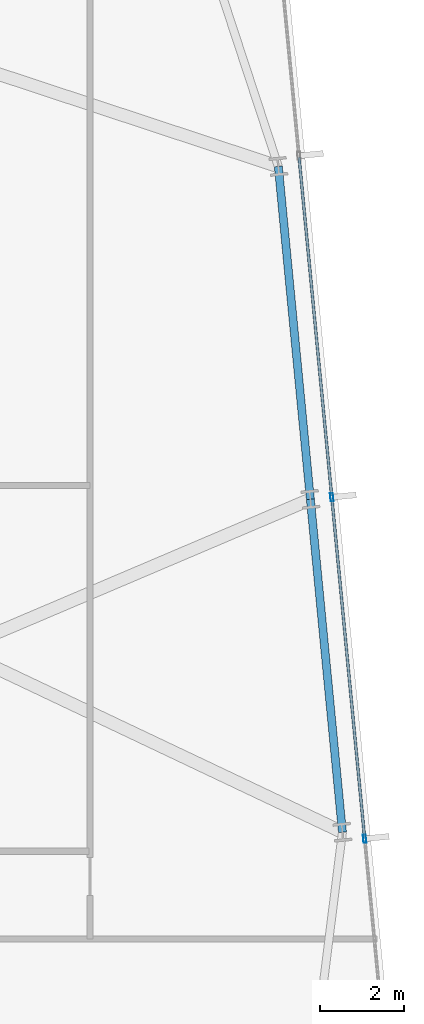
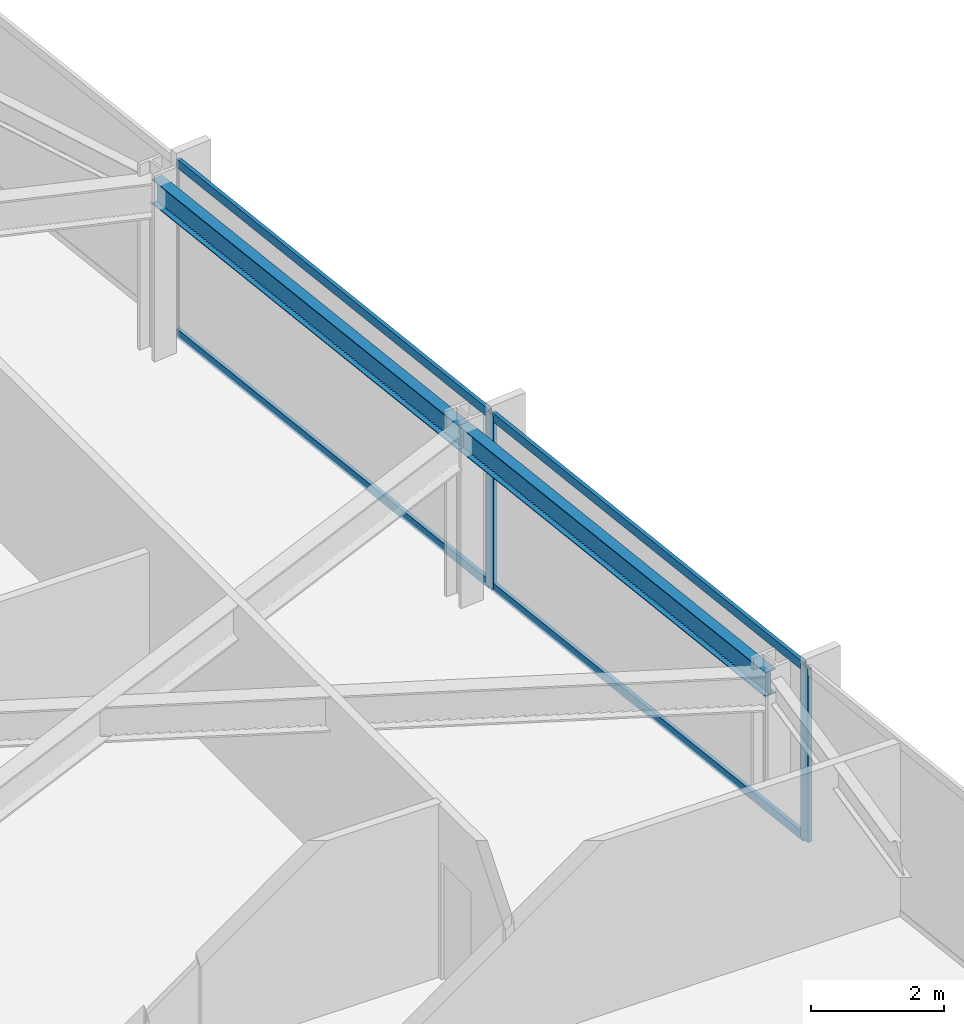
# One storey, part 16 of 32: 6 members, 2 beams, 1 element without a shape of its own.
"""IFC4 building model written with IfcOpenShell, lengths in metres."""

from ifc_helpers import new_model, si_unit, direction, frame, origin, origin_2d, place, context, subcontext, project, spatial, hollow_rectangle, i_section, extrude, material, material_profile, profile_set, type_object, element, aggregate, save


model = new_model("IFC4")

# Units and contexts
model_context = context("Model", 3, precision=1e-05, world=origin(), true_north=direction((0.0, 1.0)))
body_context = subcontext(model_context, "Body", "Model", "MODEL_VIEW")
ifc_project = project(units=[si_unit("LENGTHUNIT", "METRE"), si_unit("AREAUNIT", "SQUARE_METRE"), si_unit("VOLUMEUNIT", "CUBIC_METRE"), si_unit("PLANEANGLEUNIT", "RADIAN"), si_unit("MASSUNIT", "GRAM", prefix="KILO")], contexts=[model_context])

# Site, building, storey
site_placement = place(None, origin())
site = spatial("IfcSite", under=ifc_project, at=site_placement, CompositionType="ELEMENT")
building_placement = place(site_placement, origin())
building = spatial("IfcBuilding", under=site, at=building_placement, Name="Yelkora Congress Tower", CompositionType="ELEMENT")
storey_placement = place(building_placement, frame((0.0, 0.0, 103.300048828125)))
storey = spatial("IfcBuildingStorey", under=building, at=storey_placement, Name="L27", CompositionType="ELEMENT", Elevation=103.300048828125)

# Beams
ifc_material_1 = material(Name="Steel S355J2", Category="steel")
ifc_material_profile_1 = material_profile(ifc_material_1, i_section(OverallWidth=0.18994140625, OverallDepth=0.449951171875, WebThickness=0.009521484375, FlangeThickness=0.0146484375, FilletRadius=0.02099609375, at=origin_2d()), Name="IPE 450")
ifc_profile_set_1 = profile_set([ifc_material_profile_1], Name="Steel S355J2")
beam_type = type_object("IfcBeamType", Name="BM-SPAN-IPE450", PredefinedType="SPANDREL", material=ifc_profile_set_1)
beam_1_placement = place(storey_placement, frame((76.041259765625, 24.83349609375, 2.954833984375), z_axis=(-0.095839787071, 0.995396772757, 0.0), x_axis=(-0.995396772757, -0.095839787071, 0.0)))
element("IfcBeam", 1, at=beam_1_placement, inside=storey, type_object=beam_type, Name="L27 Perimeter Beam 11", PredefinedType="SPANDREL", context=body_context, shape_type="SweptSolid", body=[
    extrude(i_section(OverallWidth=0.18994140625, OverallDepth=0.449951171875, WebThickness=0.009521484375, FlangeThickness=0.0146484375, FilletRadius=0.02099609375, at=origin_2d()), origin(), (0.0, 0.0, 1.0), 7.9248046875),
])
beam_2_placement = place(storey_placement, frame((75.28173828125, 32.721923828125, 2.954833984375), z_axis=(-0.09583684824, 0.995397055712, 0.0), x_axis=(-0.995397055712, -0.09583684824, 0.0)))
element("IfcBeam", 2, at=beam_2_placement, inside=storey, type_object=beam_type, Name="L27 Perimeter Beam 12", PredefinedType="SPANDREL", context=body_context, shape_type="SweptSolid", body=[
    extrude(i_section(OverallWidth=0.18994140625, OverallDepth=0.449951171875, WebThickness=0.009521484375, FlangeThickness=0.0146484375, FilletRadius=0.02099609375, at=origin_2d()), origin(), (0.0, 0.0, 1.0), 7.925048828125),
])

# Curtain wall, members
ifc_material_2 = material(Name="Anodised aluminium and insulated glass", Category="aluminium")
curtain_wall_type = type_object("IfcCurtainWallType", Name="CW-SYS-B2", PredefinedType="NOTDEFINED", material=ifc_material_2)
curtain_wall_placement = place(storey_placement, origin())
curtain_wall = element("IfcCurtainWall", 3, at=curtain_wall_placement, inside=storey, type_object=curtain_wall_type, Name="L27 Unitised Curtain Wall 15", PredefinedType="NOTDEFINED")
ifc_material_3 = material(Name="Anodised aluminium 6063-T6", Category="aluminium")
ifc_material_profile_2 = material_profile(ifc_material_3, hollow_rectangle(XDim=0.070068359375, YDim=0.18994140625, WallThickness=0.00390625, at=origin_2d()), Name="ALU 70x190x4")
ifc_profile_set_2 = profile_set([ifc_material_profile_2], Name="Anodised aluminium 6063-T6")
member_type_1 = type_object("IfcMemberType", Name="MEM-ML-B2", PredefinedType="MULLION", material=ifc_profile_set_2)
member_1_placement = place(storey_placement, frame((75.789306640625, 32.770751953125, 0.0), z_axis=(0.0, 0.0, 1.0), x_axis=(0.995396507508, 0.095842541913, 0.0)))
member_1 = element("IfcMember", 4, at=member_1_placement, type_object=member_type_1, Name="CW-B2 mullion 3", PredefinedType="MULLION", context=body_context, shape_type="SweptSolid", body=[
    extrude(hollow_rectangle(XDim=0.070068359375, YDim=0.18994140625, WallThickness=0.00390625, at=origin_2d()), origin(), (0.0, 0.0, 1.0), 3.179931640625),
])
member_2_placement = place(storey_placement, frame((76.568603515625, 24.67822265625, 0.0), z_axis=(0.0, 0.0, 1.0), x_axis=(0.995396507508, 0.095842541913, 0.0)))
member_2 = element("IfcMember", 5, at=member_2_placement, type_object=member_type_1, Name="CW-B2 mullion 4", PredefinedType="MULLION", context=body_context, shape_type="SweptSolid", body=[
    extrude(hollow_rectangle(XDim=0.070068359375, YDim=0.18994140625, WallThickness=0.00390625, at=origin_2d()), origin(), (0.0, 0.0, 1.0), 3.179931640625),
])
ifc_material_profile_3 = material_profile(ifc_material_3, hollow_rectangle(XDim=0.06494140625, YDim=0.159912109375, WallThickness=0.00390625, at=origin_2d()), Name="ALU 65x160x4")
ifc_profile_set_3 = profile_set([ifc_material_profile_3], Name="Anodised aluminium 6063-T6")
member_type_2 = type_object("IfcMemberType", Name="MEM-TR-B2", PredefinedType="USERDEFINED", material=ifc_profile_set_3)
member_3_placement = place(storey_placement, frame((75.013427734375, 40.82861328125, 0.032470703125), z_axis=(0.095838228465, -0.995396922823, 0.0), x_axis=(0.995396922823, 0.095838228465, 0.0)))
member_3 = element("IfcMember", 6, at=member_3_placement, type_object=member_type_2, Name="CW-B2 transom 2.1", ObjectType="TRANSOM", PredefinedType="USERDEFINED", context=body_context, shape_type="SweptSolid", body=[
    extrude(hollow_rectangle(XDim=0.06494140625, YDim=0.159912109375, WallThickness=0.00390625, at=origin_2d()), origin(), (0.0, 0.0, 1.0), 8.06005859375),
])
member_4_placement = place(storey_placement, frame((75.013427734375, 40.82861328125, 3.1474609375), z_axis=(0.095838228465, -0.995396922823, 0.0), x_axis=(0.995396922823, 0.095838228465, 0.0)))
member_4 = element("IfcMember", 7, at=member_4_placement, type_object=member_type_2, Name="CW-B2 transom 2.2", ObjectType="TRANSOM", PredefinedType="USERDEFINED", context=body_context, shape_type="SweptSolid", body=[
    extrude(hollow_rectangle(XDim=0.06494140625, YDim=0.159912109375, WallThickness=0.00390625, at=origin_2d()), origin(), (0.0, 0.0, 1.0), 8.06005859375),
])
member_5_placement = place(storey_placement, frame((75.792724609375, 32.736083984375, 0.032470703125), z_axis=(0.095838228465, -0.995396922823, 0.0), x_axis=(0.995396922823, 0.095838228465, 0.0)))
member_5 = element("IfcMember", 8, at=member_5_placement, type_object=member_type_2, Name="CW-B2 transom 3.1", ObjectType="TRANSOM", PredefinedType="USERDEFINED", context=body_context, shape_type="SweptSolid", body=[
    extrude(hollow_rectangle(XDim=0.06494140625, YDim=0.159912109375, WallThickness=0.00390625, at=origin_2d()), origin(), (0.0, 0.0, 1.0), 8.06005859375),
])
member_6_placement = place(storey_placement, frame((75.792724609375, 32.736083984375, 3.1474609375), z_axis=(0.095838228465, -0.995396922823, 0.0), x_axis=(0.995396922823, 0.095838228465, 0.0)))
member_6 = element("IfcMember", 9, at=member_6_placement, type_object=member_type_2, Name="CW-B2 transom 3.2", ObjectType="TRANSOM", PredefinedType="USERDEFINED", context=body_context, shape_type="SweptSolid", body=[
    extrude(hollow_rectangle(XDim=0.06494140625, YDim=0.159912109375, WallThickness=0.00390625, at=origin_2d()), origin(), (0.0, 0.0, 1.0), 8.06005859375),
])
aggregate(curtain_wall, [member_1, member_2, member_3, member_4, member_5, member_6])

save(model, "model.ifc")
